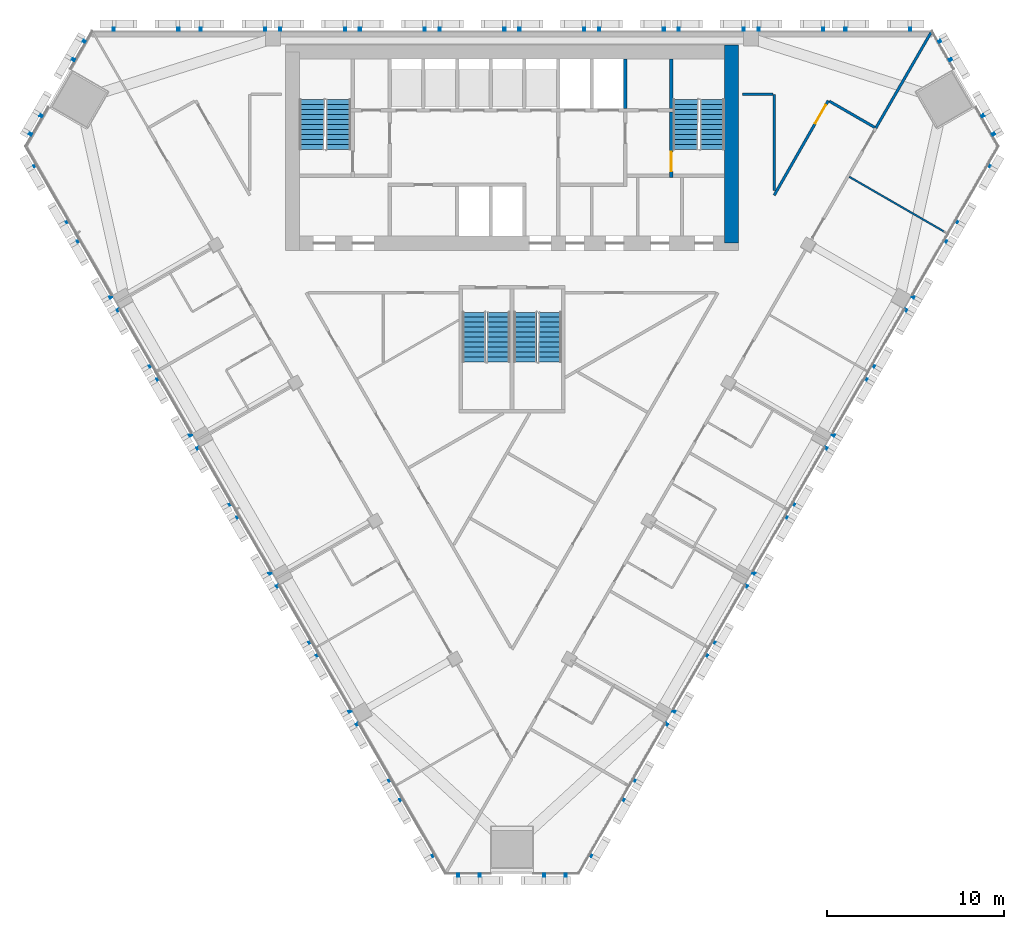
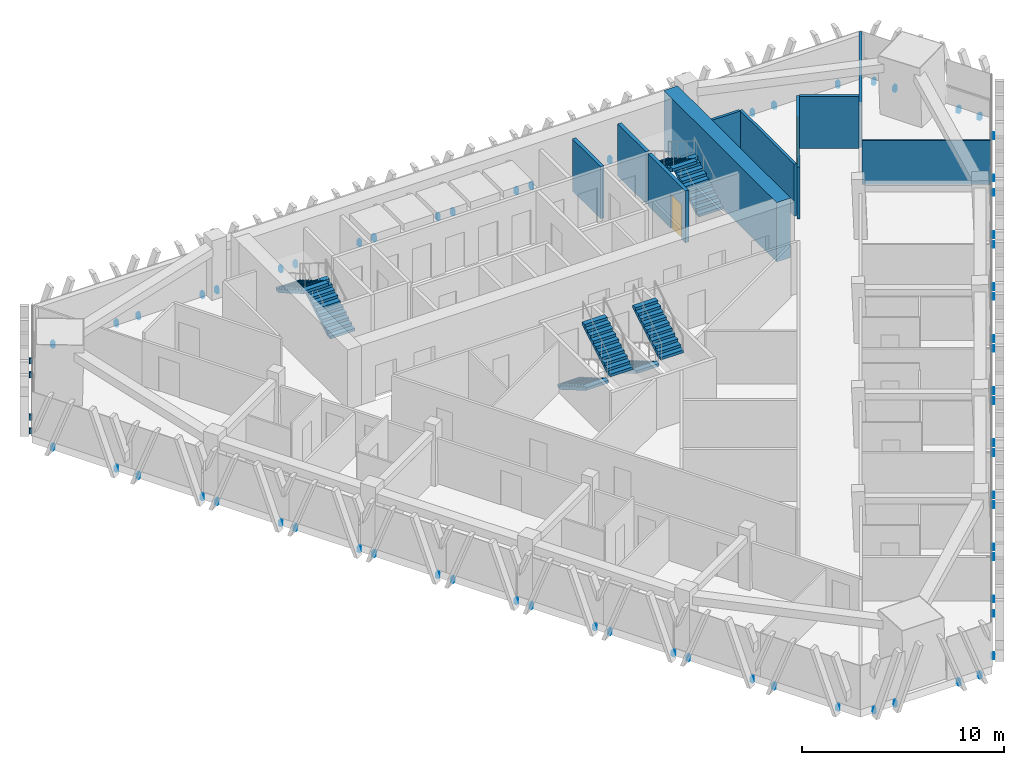
# One storey, part 12 of 15: 10 walls, 8 stair flights, 6 discrete accessories, 2 doors, 2 openings, 4 elements without a shape of their own.
"""IFC4 building model written with IfcOpenShell, lengths in metres."""

from ifc_helpers import new_model, si_unit, direction, frame, frame_2d, origin, place, context, subcontext, project, spatial, polyline, rectangle, outline, extrude, source, transform, mapped, material, layer, layer_set, type_object, element, fill, aggregate, save


model = new_model("IFC4")

# Units and contexts
model_context = context("Model", 3, precision=1e-05, world=origin(), true_north=direction((0.0, 1.0)))
body_context = subcontext(model_context, "Body", "Model", "MODEL_VIEW")
ifc_project = project(units=[si_unit("LENGTHUNIT", "METRE"), si_unit("AREAUNIT", "SQUARE_METRE"), si_unit("VOLUMEUNIT", "CUBIC_METRE"), si_unit("PLANEANGLEUNIT", "RADIAN"), si_unit("MASSUNIT", "GRAM", prefix="KILO")], contexts=[model_context])

# Site, building, storey
site_placement = place(None, origin())
site = spatial("IfcSite", under=ifc_project, at=site_placement, CompositionType="ELEMENT")
building_placement = place(site_placement, origin())
building = spatial("IfcBuilding", under=site, at=building_placement, Name="Altiplano Prism Tower", CompositionType="ELEMENT")
storey_placement = place(building_placement, frame((0.0, 0.0, 142.199951171875)))
storey = spatial("IfcBuildingStorey", under=building, at=storey_placement, Name="L36", CompositionType="ELEMENT", Elevation=142.199951171875)

# Walls
ifc_material_1 = material(Name="Concrete C60/75", Category="concrete")
ifc_layer_1 = layer(ifc_material_1, 0.800048828125)
ifc_layer_set_1 = layer_set([ifc_layer_1], Name="Concrete C60/75")
wall_type_1 = type_object("IfcWallType", Name="Core wall 800", PredefinedType="SHEAR", material=ifc_layer_set_1)
wall_1_placement = place(storey_placement, frame((97.39990234375, 93.0, 0.0), z_axis=(0.0, 0.0, 1.0), x_axis=(0.0, 1.0, 0.0)))
element("IfcWall", 1, at=wall_1_placement, inside=storey, type_object=wall_type_1, Name="Core wall E L36", PredefinedType="SHEAR", context=body_context, shape_type="SweptSolid", body=[
    extrude(rectangle(XDim=11.199951171875, YDim=0.800048828125, at=frame_2d((5.60009765625, 0.0))), origin(), (0.0, 0.0, 1.0), 3.60009765625),
])
ifc_material_2 = material(Name="Plasterboard on steel stud", Category="steel")
ifc_layer_2 = layer(ifc_material_2, 0.10009765625)
ifc_layer_set_2 = layer_set([ifc_layer_2], Name="Plasterboard on steel stud")
wall_type_2 = type_object("IfcWallType", Name="Partition 100 wet", PredefinedType="PARTITIONING", material=ifc_layer_set_2)
wall_2_placement = place(storey_placement, frame((109.557861328125, 93.561767578125, 0.0), z_axis=(0.0, 0.0, 1.0), x_axis=(-0.866015181674, 0.500017704797, 0.0)))
element("IfcWall", 2, at=wall_2_placement, inside=storey, type_object=wall_type_2, Name="Partition P03 L36 051", PredefinedType="PARTITIONING", context=body_context, shape_type="SweptSolid", body=[
    extrude(rectangle(XDim=6.370361328125, YDim=0.10009765625, at=frame_2d((3.18505859375, 0.0))), origin(), (0.0, 0.0, 1.0), 2.650146484375),
])
ifc_layer_3 = layer(ifc_material_2, 0.14990234375)
ifc_layer_set_3 = layer_set([ifc_layer_3], Name="Plasterboard on steel stud")
wall_type_3 = type_object("IfcWallType", Name="Partition 150 corridor", PredefinedType="PARTITIONING", material=ifc_layer_set_3)
wall_3_placement = place(storey_placement, frame((105.476806640625, 99.538330078125, 0.0), z_axis=(0.0, 0.0, 1.0), x_axis=(-0.866101542152, 0.499868101284, 0.0)))
element("IfcWall", 3, at=wall_3_placement, inside=storey, type_object=wall_type_3, Name="Partition P06 L36 006", PredefinedType="PARTITIONING", context=body_context, shape_type="SweptSolid", body=[
    extrude(rectangle(XDim=2.950439453125, YDim=0.14990234375, at=frame_2d((1.47509765625, 0.0))), origin(), (0.0, 0.0, 1.0), 3.150146484375),
])

# Wall, opening, door
wall_4_placement = place(storey_placement, frame((102.856201171875, 101.05078125, 0.0), z_axis=(0.0, 0.0, 1.0), x_axis=(-0.496198719424, -0.868208978784, 0.0)))
wall_4 = element("IfcWall", 4, at=wall_4_placement, inside=storey, type_object=wall_type_3, Name="Partition P06 L36 007", PredefinedType="PARTITIONING", context=body_context, shape_type="SweptSolid", body=[
    extrude(rectangle(XDim=6.1572265625, YDim=0.14990234375, at=frame_2d((3.07861328125, 0.0))), origin(), (0.0, 0.0, 1.0), 3.150146484375),
])
opening_1_placement = place(wall_4_placement, frame((0.294921875, 0.0, 0.0)))
opening_1 = element("IfcOpeningElement", 5, at=opening_1_placement, cuts=wall_4, Name="Opening D1323", PredefinedType="OPENING", context=body_context, shape_type="SweptSolid", body=[
    extrude(rectangle(XDim=1.199951171875, YDim=2.10009765625, at=frame_2d((0.60009765625, 1.050048828125))), frame((0.0, 0.08544921875, 0.0), z_axis=(0.0, -1.0, 0.0), x_axis=(1.0, 0.0, 0.0)), (0.0, 0.0, 1.0), 0.1708984375),
])
ifc_material_3 = material(Name="Timber", Category="wood")
door_type_1 = type_object("IfcDoorType", Name="Shared room door 1200 x 2100", OperationType="NOTDEFINED", PredefinedType="NOTDEFINED", material=ifc_material_3)
door_1_placement = place(opening_1_placement, origin())
door_1 = element("IfcDoor", 6, at=door_1_placement, inside=storey, type_object=door_type_1, Name="Door D1323", OperationType="SINGLE_SWING_RIGHT", OverallHeight=2.10009765625, OverallWidth=1.199951171875, PredefinedType="NOTDEFINED", context=body_context, shape_type="SweptSolid", body=[
    extrude(rectangle(XDim=1.199951171875, YDim=2.10009765625, at=frame_2d((0.60009765625, 1.050048828125))), frame((0.0, 0.02490234375, 0.0), z_axis=(0.0, -1.0, 0.0), x_axis=(1.0, 0.0, 0.0)), (0.0, 0.0, 1.0), 0.050048828125),
])
fill(opening_1, door_1)

# Walls
wall_5_placement = place(storey_placement, frame((99.801025390625, 95.9873046875, 0.0), z_axis=(0.0, 0.0, 1.0), x_axis=(0.0, 1.0, 0.0)))
element("IfcWall", 7, at=wall_5_placement, inside=storey, type_object=wall_type_3, Name="Partition P06 L36 008", PredefinedType="PARTITIONING", context=body_context, shape_type="SweptSolid", body=[
    extrude(rectangle(XDim=5.4130859375, YDim=0.14990234375, at=frame_2d((2.70654296875, 0.0))), origin(), (0.0, 0.0, 1.0), 3.150146484375),
])
wall_6_placement = place(storey_placement, frame((99.72607421875, 101.400390625, 0.0), z_axis=(0.0, 0.0, 1.0), x_axis=(-0.999999959988, 0.00028288542, 0.0)))
element("IfcWall", 8, at=wall_6_placement, inside=storey, type_object=wall_type_3, Name="Partition P06 L36 009", PredefinedType="PARTITIONING", context=body_context, shape_type="SweptSolid", body=[
    extrude(rectangle(XDim=1.72607421875, YDim=0.14990234375, at=frame_2d((0.863037109375, 0.0))), origin(), (0.0, 0.0, 1.0), 3.150146484375),
])
ifc_layer_4 = layer(ifc_material_2, 0.14990234375)
ifc_layer_set_4 = layer_set([ifc_layer_4], Name="Plasterboard on steel stud")
wall_type_4 = type_object("IfcWallType", Name="Partition 150 party", PredefinedType="PARTITIONING", material=ifc_layer_set_4)
wall_7_placement = place(storey_placement, frame((108.658935546875, 104.89990234375, 0.0), z_axis=(0.0, 0.0, 1.0), x_axis=(-0.500013984911, -0.866017329442, 0.0)))
element("IfcWall", 9, at=wall_7_placement, inside=storey, type_object=wall_type_4, Name="Partition P01 L36 052", PredefinedType="PARTITIONING", context=body_context, shape_type="SweptSolid", body=[
    extrude(rectangle(XDim=6.234130859375, YDim=0.14990234375, at=frame_2d((3.1171875, 0.0))), origin(), (0.0, 0.0, 1.0), 2.650146484375),
])
ifc_layer_5 = layer(ifc_material_1, 0.199951171875)
ifc_layer_set_5 = layer_set([ifc_layer_5], Name="Concrete C60/75")
wall_type_5 = type_object("IfcWallType", Name="Shaft wall 200", PredefinedType="SOLIDWALL", material=ifc_layer_set_5)
wall_8_placement = place(storey_placement, frame((91.39990234375, 100.60009765625, 0.0), z_axis=(0.0, 0.0, 1.0), x_axis=(0.0, 1.0, 0.0)))
element("IfcWall", 10, at=wall_8_placement, inside=storey, type_object=wall_type_5, Name="Shaft wall L36", PredefinedType="SOLIDWALL", context=body_context, shape_type="SweptSolid", body=[
    extrude(rectangle(XDim=2.7998046875, YDim=0.199951171875, at=frame_2d((1.39990234375, 0.0))), origin(), (0.0, 0.0, 1.0), 3.150146484375),
])

# Wall, opening, door
ifc_layer_6 = layer(ifc_material_1, 0.199951171875)
ifc_layer_set_6 = layer_set([ifc_layer_6], Name="Concrete C60/75")
wall_type_6 = type_object("IfcWallType", Name="Stair wall 200", PredefinedType="SOLIDWALL", material=ifc_layer_set_6)
wall_9_placement = place(storey_placement, frame((94.0, 96.699951171875, 0.0), z_axis=(0.0, 0.0, 1.0), x_axis=(0.0, 1.0, 0.0)))
wall_9 = element("IfcWall", 11, at=wall_9_placement, inside=storey, type_object=wall_type_6, Name="Stair wall L36", PredefinedType="SOLIDWALL", context=body_context, shape_type="SweptSolid", body=[
    extrude(rectangle(XDim=3.699951171875, YDim=0.199951171875, at=frame_2d((1.85009765625, 0.0))), origin(), (0.0, 0.0, 1.0), 3.150146484375),
])
opening_2_placement = place(wall_9_placement, frame((0.35009765625, 0.0, 0.0)))
opening_2 = element("IfcOpeningElement", 12, at=opening_2_placement, cuts=wall_9, Name="Opening D3068", PredefinedType="OPENING", context=body_context, shape_type="SweptSolid", body=[
    extrude(rectangle(XDim=1.10009765625, YDim=2.10009765625, at=frame_2d((0.550048828125, 1.050048828125))), frame((0.0, 0.1103515625, 0.0), z_axis=(0.0, -1.0, 0.0), x_axis=(1.0, 0.0, 0.0)), (0.0, 0.0, 1.0), 0.220947265625),
])
ifc_material_4 = material(Name="Fire-rated steel door", Category="steel")
door_type_2 = type_object("IfcDoorType", Name="Stair fire door 1100 x 2100", OperationType="NOTDEFINED", PredefinedType="NOTDEFINED", material=ifc_material_4)
door_2_placement = place(opening_2_placement, origin())
door_2 = element("IfcDoor", 13, at=door_2_placement, inside=storey, type_object=door_type_2, Name="Stair fire door D3068", OperationType="SINGLE_SWING_LEFT", OverallHeight=2.10009765625, OverallWidth=1.10009765625, PredefinedType="NOTDEFINED", context=body_context, shape_type="SweptSolid", body=[
    extrude(rectangle(XDim=1.10009765625, YDim=2.10009765625, at=frame_2d((0.550048828125, 1.050048828125))), frame((0.0, 0.02490234375, 0.0), z_axis=(0.0, -1.0, 0.0), x_axis=(1.0, 0.0, 0.0)), (0.0, 0.0, 1.0), 0.050048828125),
])
fill(opening_2, door_2)

# Wall
wall_10_placement = place(storey_placement, frame((94.0, 100.60009765625, 0.0), z_axis=(0.0, 0.0, 1.0), x_axis=(0.0, 1.0, 0.0)))
element("IfcWall", 14, at=wall_10_placement, inside=storey, type_object=wall_type_6, Name="Stair wall L36", PredefinedType="SOLIDWALL", context=body_context, shape_type="SweptSolid", body=[
    extrude(rectangle(XDim=2.7998046875, YDim=0.199951171875, at=frame_2d((1.39990234375, 0.0))), origin(), (0.0, 0.0, 1.0), 3.150146484375),
])

# Stair, stair flights
ifc_material_5 = material(Name="Concrete C40/50", Category="concrete")
stair_type_1 = type_object("IfcStairType", Name="Exit stair 1400", PredefinedType="HALF_TURN_STAIR", material=ifc_material_5)
stair_1_placement = place(storey_placement, origin())
stair_1 = element("IfcStair", 15, at=stair_1_placement, inside=storey, type_object=stair_type_1, Name="L36 Exit Stair 1", PredefinedType="HALF_TURN_STAIR")
stair_flight_type = type_object("IfcStairFlightType", Name="Stair flight concrete 150", PredefinedType="STRAIGHT", material=ifc_material_5)
stair_flight_1_placement = place(storey_placement, frame((75.199951171875, 98.300048828125, 0.0), z_axis=(0.0, 0.0, 1.0), x_axis=(0.0, 1.0, 0.0)))
stair_flight_1 = element("IfcStairFlight", 16, at=stair_flight_1_placement, type_object=stair_flight_type, Name="ST1 flight 1", NumberOfRisers=11, NumberOfTreads=10, PredefinedType="STRAIGHT", RiserHeight=0.163636364, TreadLength=0.28, context=body_context, shape_type="SweptSolid", body=[
    extrude(outline(polyline([(0.0, 0.0), (0.0, 0.16357421875), (0.280029296875, 0.16357421875), (0.280029296875, 0.327392578125), (0.56005859375, 0.327392578125), (0.56005859375, 0.490966796875), (0.840087890625, 0.490966796875), (0.840087890625, 0.654541015625), (1.1201171875, 0.654541015625), (1.1201171875, 0.818115234375), (1.39990234375, 0.818115234375), (1.39990234375, 0.98193359375), (1.679931640625, 0.98193359375), (1.679931640625, 1.1455078125), (1.9599609375, 1.1455078125), (1.9599609375, 1.30908203125), (2.239990234375, 1.30908203125), (2.239990234375, 1.47265625), (2.52001953125, 1.47265625), (2.52001953125, 1.636474609375), (2.800048828125, 1.636474609375), (2.800048828125, 1.800048828125), (2.800048828125, 1.462646484375), (0.297119140625, 0.0), (0.0, 0.0)])), frame((0.0, 0.699951171875, 0.0), z_axis=(0.0, -1.0, 0.0), x_axis=(1.0, 0.0, 0.0)), (0.0, 0.0, 1.0), 1.39990234375),
])
stair_flight_2_placement = place(storey_placement, frame((73.699951171875, 101.10009765625, 1.800048828125), z_axis=(0.0, 0.0, 1.0), x_axis=(0.0, -1.0, 0.0)))
stair_flight_2 = element("IfcStairFlight", 17, at=stair_flight_2_placement, type_object=stair_flight_type, Name="ST1 flight 2", NumberOfRisers=11, NumberOfTreads=10, PredefinedType="STRAIGHT", RiserHeight=0.163636364, TreadLength=0.28, context=body_context, shape_type="SweptSolid", body=[
    extrude(outline(polyline([(0.0, 0.0), (0.0, 0.16357421875), (0.280029296875, 0.16357421875), (0.280029296875, 0.327392578125), (0.56005859375, 0.327392578125), (0.56005859375, 0.490966796875), (0.840087890625, 0.490966796875), (0.840087890625, 0.654541015625), (1.1201171875, 0.654541015625), (1.1201171875, 0.818115234375), (1.39990234375, 0.818115234375), (1.39990234375, 0.98193359375), (1.679931640625, 0.98193359375), (1.679931640625, 1.1455078125), (1.9599609375, 1.1455078125), (1.9599609375, 1.30908203125), (2.239990234375, 1.30908203125), (2.239990234375, 1.47265625), (2.52001953125, 1.47265625), (2.52001953125, 1.636474609375), (2.800048828125, 1.636474609375), (2.800048828125, 1.800048828125), (2.800048828125, 1.462646484375), (0.297119140625, 0.0), (0.0, 0.0)])), frame((0.0, 0.699951171875, 0.0), z_axis=(0.0, -1.0, 0.0), x_axis=(1.0, 0.0, 0.0)), (0.0, 0.0, 1.0), 1.39990234375),
])
aggregate(stair_1, [stair_flight_1, stair_flight_2])

stair_2_placement = place(storey_placement, origin())
stair_2 = element("IfcStair", 18, at=stair_2_placement, inside=storey, type_object=stair_type_1, Name="L36 Exit Stair 2", PredefinedType="HALF_TURN_STAIR")
stair_flight_3_placement = place(storey_placement, frame((96.300048828125, 98.300048828125, 0.0), z_axis=(0.0, 0.0, 1.0), x_axis=(0.0, 1.0, 0.0)))
stair_flight_3 = element("IfcStairFlight", 19, at=stair_flight_3_placement, type_object=stair_flight_type, Name="ST2 flight 1", NumberOfRisers=11, NumberOfTreads=10, PredefinedType="STRAIGHT", RiserHeight=0.163636364, TreadLength=0.28, context=body_context, shape_type="SweptSolid", body=[
    extrude(outline(polyline([(0.0, 0.0), (0.0, 0.16357421875), (0.280029296875, 0.16357421875), (0.280029296875, 0.327392578125), (0.56005859375, 0.327392578125), (0.56005859375, 0.490966796875), (0.840087890625, 0.490966796875), (0.840087890625, 0.654541015625), (1.1201171875, 0.654541015625), (1.1201171875, 0.818115234375), (1.39990234375, 0.818115234375), (1.39990234375, 0.98193359375), (1.679931640625, 0.98193359375), (1.679931640625, 1.1455078125), (1.9599609375, 1.1455078125), (1.9599609375, 1.30908203125), (2.239990234375, 1.30908203125), (2.239990234375, 1.47265625), (2.52001953125, 1.47265625), (2.52001953125, 1.636474609375), (2.800048828125, 1.636474609375), (2.800048828125, 1.800048828125), (2.800048828125, 1.462646484375), (0.297119140625, 0.0), (0.0, 0.0)])), frame((0.0, 0.699951171875, 0.0), z_axis=(0.0, -1.0, 0.0), x_axis=(1.0, 0.0, 0.0)), (0.0, 0.0, 1.0), 1.39990234375),
])
stair_flight_4_placement = place(storey_placement, frame((94.800048828125, 101.10009765625, 1.800048828125), z_axis=(0.0, 0.0, 1.0), x_axis=(0.0, -1.0, 0.0)))
stair_flight_4 = element("IfcStairFlight", 20, at=stair_flight_4_placement, type_object=stair_flight_type, Name="ST2 flight 2", NumberOfRisers=11, NumberOfTreads=10, PredefinedType="STRAIGHT", RiserHeight=0.163636364, TreadLength=0.28, context=body_context, shape_type="SweptSolid", body=[
    extrude(outline(polyline([(0.0, 0.0), (0.0, 0.16357421875), (0.280029296875, 0.16357421875), (0.280029296875, 0.327392578125), (0.56005859375, 0.327392578125), (0.56005859375, 0.490966796875), (0.840087890625, 0.490966796875), (0.840087890625, 0.654541015625), (1.1201171875, 0.654541015625), (1.1201171875, 0.818115234375), (1.39990234375, 0.818115234375), (1.39990234375, 0.98193359375), (1.679931640625, 0.98193359375), (1.679931640625, 1.1455078125), (1.9599609375, 1.1455078125), (1.9599609375, 1.30908203125), (2.239990234375, 1.30908203125), (2.239990234375, 1.47265625), (2.52001953125, 1.47265625), (2.52001953125, 1.636474609375), (2.800048828125, 1.636474609375), (2.800048828125, 1.800048828125), (2.800048828125, 1.462646484375), (0.297119140625, 0.0), (0.0, 0.0)])), frame((0.0, 0.699951171875, 0.0), z_axis=(0.0, -1.0, 0.0), x_axis=(1.0, 0.0, 0.0)), (0.0, 0.0, 1.0), 1.39990234375),
])
aggregate(stair_2, [stair_flight_3, stair_flight_4])

stair_type_2 = type_object("IfcStairType", Name="Exit stair 1300", PredefinedType="HALF_TURN_STAIR", material=ifc_material_5)
stair_3_placement = place(storey_placement, origin())
stair_3 = element("IfcStair", 21, at=stair_3_placement, inside=storey, type_object=stair_type_2, Name="L36 Exit Stair 3A", PredefinedType="HALF_TURN_STAIR")
stair_flight_5_placement = place(storey_placement, frame((82.85009765625, 89.10009765625, 0.0), z_axis=(0.0, 0.0, 1.0), x_axis=(0.0, -1.0, 0.0)))
stair_flight_5 = element("IfcStairFlight", 22, at=stair_flight_5_placement, type_object=stair_flight_type, Name="ST3A flight 1", NumberOfRisers=11, NumberOfTreads=10, PredefinedType="STRAIGHT", RiserHeight=0.163636364, TreadLength=0.28, context=body_context, shape_type="SweptSolid", body=[
    extrude(outline(polyline([(0.0, 0.0), (0.0, 0.16357421875), (0.280029296875, 0.16357421875), (0.280029296875, 0.327392578125), (0.56005859375, 0.327392578125), (0.56005859375, 0.490966796875), (0.840087890625, 0.490966796875), (0.840087890625, 0.654541015625), (1.1201171875, 0.654541015625), (1.1201171875, 0.818115234375), (1.39990234375, 0.818115234375), (1.39990234375, 0.98193359375), (1.679931640625, 0.98193359375), (1.679931640625, 1.1455078125), (1.9599609375, 1.1455078125), (1.9599609375, 1.30908203125), (2.239990234375, 1.30908203125), (2.239990234375, 1.47265625), (2.52001953125, 1.47265625), (2.52001953125, 1.636474609375), (2.800048828125, 1.636474609375), (2.800048828125, 1.800048828125), (2.800048828125, 1.462646484375), (0.297119140625, 0.0), (0.0, 0.0)])), frame((0.0, 0.64990234375, 0.0), z_axis=(0.0, -1.0, 0.0), x_axis=(1.0, 0.0, 0.0)), (0.0, 0.0, 1.0), 1.300048828125),
])
stair_flight_6_placement = place(storey_placement, frame((84.25, 86.300048828125, 1.800048828125), z_axis=(0.0, 0.0, 1.0), x_axis=(0.0, 1.0, 0.0)))
stair_flight_6 = element("IfcStairFlight", 23, at=stair_flight_6_placement, type_object=stair_flight_type, Name="ST3A flight 2", NumberOfRisers=11, NumberOfTreads=10, PredefinedType="STRAIGHT", RiserHeight=0.163636364, TreadLength=0.28, context=body_context, shape_type="SweptSolid", body=[
    extrude(outline(polyline([(0.0, 0.0), (0.0, 0.16357421875), (0.280029296875, 0.16357421875), (0.280029296875, 0.327392578125), (0.56005859375, 0.327392578125), (0.56005859375, 0.490966796875), (0.840087890625, 0.490966796875), (0.840087890625, 0.654541015625), (1.1201171875, 0.654541015625), (1.1201171875, 0.818115234375), (1.39990234375, 0.818115234375), (1.39990234375, 0.98193359375), (1.679931640625, 0.98193359375), (1.679931640625, 1.1455078125), (1.9599609375, 1.1455078125), (1.9599609375, 1.30908203125), (2.239990234375, 1.30908203125), (2.239990234375, 1.47265625), (2.52001953125, 1.47265625), (2.52001953125, 1.636474609375), (2.800048828125, 1.636474609375), (2.800048828125, 1.800048828125), (2.800048828125, 1.462646484375), (0.297119140625, 0.0), (0.0, 0.0)])), frame((0.0, 0.64990234375, 0.0), z_axis=(0.0, -1.0, 0.0), x_axis=(1.0, 0.0, 0.0)), (0.0, 0.0, 1.0), 1.300048828125),
])
aggregate(stair_3, [stair_flight_5, stair_flight_6])

stair_4_placement = place(storey_placement, origin())
stair_4 = element("IfcStair", 24, at=stair_4_placement, inside=storey, type_object=stair_type_2, Name="L36 Exit Stair 3B", PredefinedType="HALF_TURN_STAIR")
stair_flight_7_placement = place(storey_placement, frame((85.75, 89.10009765625, 0.0), z_axis=(0.0, 0.0, 1.0), x_axis=(0.0, -1.0, 0.0)))
stair_flight_7 = element("IfcStairFlight", 25, at=stair_flight_7_placement, type_object=stair_flight_type, Name="ST3B flight 1", NumberOfRisers=11, NumberOfTreads=10, PredefinedType="STRAIGHT", RiserHeight=0.163636364, TreadLength=0.28, context=body_context, shape_type="SweptSolid", body=[
    extrude(outline(polyline([(0.0, 0.0), (0.0, 0.16357421875), (0.280029296875, 0.16357421875), (0.280029296875, 0.327392578125), (0.56005859375, 0.327392578125), (0.56005859375, 0.490966796875), (0.840087890625, 0.490966796875), (0.840087890625, 0.654541015625), (1.1201171875, 0.654541015625), (1.1201171875, 0.818115234375), (1.39990234375, 0.818115234375), (1.39990234375, 0.98193359375), (1.679931640625, 0.98193359375), (1.679931640625, 1.1455078125), (1.9599609375, 1.1455078125), (1.9599609375, 1.30908203125), (2.239990234375, 1.30908203125), (2.239990234375, 1.47265625), (2.52001953125, 1.47265625), (2.52001953125, 1.636474609375), (2.800048828125, 1.636474609375), (2.800048828125, 1.800048828125), (2.800048828125, 1.462646484375), (0.297119140625, 0.0), (0.0, 0.0)])), frame((0.0, 0.64990234375, 0.0), z_axis=(0.0, -1.0, 0.0), x_axis=(1.0, 0.0, 0.0)), (0.0, 0.0, 1.0), 1.300048828125),
])
stair_flight_8_placement = place(storey_placement, frame((87.14990234375, 86.300048828125, 1.800048828125), z_axis=(0.0, 0.0, 1.0), x_axis=(0.0, 1.0, 0.0)))
stair_flight_8 = element("IfcStairFlight", 26, at=stair_flight_8_placement, type_object=stair_flight_type, Name="ST3B flight 2", NumberOfRisers=11, NumberOfTreads=10, PredefinedType="STRAIGHT", RiserHeight=0.163636364, TreadLength=0.28, context=body_context, shape_type="SweptSolid", body=[
    extrude(outline(polyline([(0.0, 0.0), (0.0, 0.16357421875), (0.280029296875, 0.16357421875), (0.280029296875, 0.327392578125), (0.56005859375, 0.327392578125), (0.56005859375, 0.490966796875), (0.840087890625, 0.490966796875), (0.840087890625, 0.654541015625), (1.1201171875, 0.654541015625), (1.1201171875, 0.818115234375), (1.39990234375, 0.818115234375), (1.39990234375, 0.98193359375), (1.679931640625, 0.98193359375), (1.679931640625, 1.1455078125), (1.9599609375, 1.1455078125), (1.9599609375, 1.30908203125), (2.239990234375, 1.30908203125), (2.239990234375, 1.47265625), (2.52001953125, 1.47265625), (2.52001953125, 1.636474609375), (2.800048828125, 1.636474609375), (2.800048828125, 1.800048828125), (2.800048828125, 1.462646484375), (0.297119140625, 0.0), (0.0, 0.0)])), frame((0.0, 0.64990234375, 0.0), z_axis=(0.0, -1.0, 0.0), x_axis=(1.0, 0.0, 0.0)), (0.0, 0.0, 1.0), 1.300048828125),
])
aggregate(stair_4, [stair_flight_7, stair_flight_8])

# Discrete accessories
ifc_material_6 = material(Name="Stainless steel", Category="steel")
discrete_accessory_type = type_object("IfcDiscreteAccessoryType", Name="Stone fin fixing prongs", PredefinedType="USERDEFINED", material=ifc_material_6)
shared_shape_1 = source(origin(), body_context, "Body", "SweptSolid", [
    extrude(outline(polyline([(-1.888427734375, 0.06005859375), (-1.768310546875, 0.06005859375), (-1.768310546875, 0.389892578125), (-1.888427734375, 0.389892578125), (-1.888427734375, 0.06005859375)])), frame((0.0, 0.0, 0.0), z_axis=(0.0, -1.0, 0.0), x_axis=(1.0, 0.0, 0.0)), (0.0, 0.0, 1.0), 0.14990234375),
    extrude(outline(polyline([(1.768310546875, 0.06005859375), (1.888427734375, 0.06005859375), (1.888427734375, 0.389892578125), (1.768310546875, 0.389892578125), (1.768310546875, 0.06005859375)])), frame((0.0, 0.0, 0.0), z_axis=(0.0, -1.0, 0.0), x_axis=(1.0, 0.0, 0.0)), (0.0, 0.0, 1.0), 0.14990234375),
])
shared_shape_2 = source(origin(), body_context, "Body", "SweptSolid", [
    extrude(outline(polyline([(-1.888427734375, 0.06005859375), (-1.768310546875, 0.06005859375), (-1.768310546875, 0.389892578125), (-1.888427734375, 0.389892578125), (-1.888427734375, 0.06005859375)])), frame((0.0, 0.0, 0.0), z_axis=(0.0, -1.0, 0.0), x_axis=(1.0, 0.0, 0.0)), (0.0, 0.0, 1.0), 0.14990234375),
    extrude(outline(polyline([(1.768310546875, 0.06005859375), (1.888427734375, 0.06005859375), (1.888427734375, 0.389892578125), (1.768310546875, 0.389892578125), (1.768310546875, 0.06005859375)])), frame((0.0, 0.0, 0.0), z_axis=(0.0, -1.0, 0.0), x_axis=(1.0, 0.0, 0.0)), (0.0, 0.0, 1.0), 0.14990234375),
])
discrete_accessory_1_placement = place(storey_placement, origin())
element("IfcDiscreteAccessory", 27, at=discrete_accessory_1_placement, inside=storey, type_object=discrete_accessory_type, Name="Fin fixings L36 north face", ObjectType="BRACKET", PredefinedType="USERDEFINED", context=body_context, shape_type="MappedRepresentation", body=[
    mapped(shared_shape_1, transform((105.658447265625, 105.0, -0.449951171875), x_axis=(-1.0, 0.0, 0.0), y_axis=(0.0, -1.0, 0.0), z_axis=(0.0, 0.0, 1.0))),
    mapped(shared_shape_2, transform((100.75, 105.0, -0.449951171875), x_axis=(-1.0, 0.0, 0.0), y_axis=(0.0, -1.0, 0.0), z_axis=(0.0, 0.0, 1.0))),
    mapped(shared_shape_2, transform((96.25, 105.0, -0.449951171875), x_axis=(-1.0, 0.0, 0.0), y_axis=(0.0, -1.0, 0.0), z_axis=(0.0, 0.0, 1.0))),
    mapped(shared_shape_2, transform((91.75, 105.0, -0.449951171875), x_axis=(-1.0, 0.0, 0.0), y_axis=(0.0, -1.0, 0.0), z_axis=(0.0, 0.0, 1.0))),
    mapped(shared_shape_2, transform((87.25, 105.0, -0.449951171875), x_axis=(-1.0, 0.0, 0.0), y_axis=(0.0, -1.0, 0.0), z_axis=(0.0, 0.0, 1.0))),
    mapped(shared_shape_2, transform((82.75, 105.0, -0.449951171875), x_axis=(-1.0, 0.0, 0.0), y_axis=(0.0, -1.0, 0.0), z_axis=(0.0, 0.0, 1.0))),
    mapped(shared_shape_2, transform((78.25, 105.0, -0.449951171875), x_axis=(-1.0, 0.0, 0.0), y_axis=(0.0, -1.0, 0.0), z_axis=(0.0, 0.0, 1.0))),
    mapped(shared_shape_2, transform((73.75, 105.0, -0.449951171875), x_axis=(-1.0, 0.0, 0.0), y_axis=(0.0, -1.0, 0.0), z_axis=(0.0, 0.0, 1.0))),
    mapped(shared_shape_2, transform((69.25, 105.0, -0.449951171875), x_axis=(-1.0, 0.0, 0.0), y_axis=(0.0, -1.0, 0.0), z_axis=(0.0, 0.0, 1.0))),
    mapped(shared_shape_1, transform((64.341552734375, 105.0, -0.449951171875), x_axis=(-1.0, 0.0, 0.0), y_axis=(0.0, -1.0, 0.0), z_axis=(0.0, 0.0, 1.0))),
])
discrete_accessory_2_placement = place(storey_placement, origin())
element("IfcDiscreteAccessory", 28, at=discrete_accessory_2_placement, inside=storey, type_object=discrete_accessory_type, Name="Fin fixings L36 south-west face", ObjectType="BRACKET", PredefinedType="USERDEFINED", context=body_context, shape_type="MappedRepresentation", body=[
    mapped(shared_shape_1, transform((59.0439453125, 95.82421875, -0.449951171875), x_axis=(0.50000000109, -0.866025403155, 0.0), y_axis=(0.866025403155, 0.50000000109, 0.0), z_axis=(0.0, 0.0, 1.0))),
    mapped(shared_shape_2, transform((61.498046875, 91.573486328125, -0.449951171875), x_axis=(0.50000000109, -0.866025403155, 0.0), y_axis=(0.866025403155, 0.50000000109, 0.0), z_axis=(0.0, 0.0, 1.0))),
    mapped(shared_shape_2, transform((63.748046875, 87.67626953125, -0.449951171875), x_axis=(0.50000000109, -0.866025403155, 0.0), y_axis=(0.866025403155, 0.50000000109, 0.0), z_axis=(0.0, 0.0, 1.0))),
    mapped(shared_shape_2, transform((65.998046875, 83.779052734375, -0.449951171875), x_axis=(0.50000000109, -0.866025403155, 0.0), y_axis=(0.866025403155, 0.50000000109, 0.0), z_axis=(0.0, 0.0, 1.0))),
    mapped(shared_shape_2, transform((68.248046875, 79.882080078125, -0.449951171875), x_axis=(0.50000000109, -0.866025403155, 0.0), y_axis=(0.866025403155, 0.50000000109, 0.0), z_axis=(0.0, 0.0, 1.0))),
    mapped(shared_shape_2, transform((70.498046875, 75.98486328125, -0.449951171875), x_axis=(0.50000000109, -0.866025403155, 0.0), y_axis=(0.866025403155, 0.50000000109, 0.0), z_axis=(0.0, 0.0, 1.0))),
    mapped(shared_shape_2, transform((72.748046875, 72.087890625, -0.449951171875), x_axis=(0.50000000109, -0.866025403155, 0.0), y_axis=(0.866025403155, 0.50000000109, 0.0), z_axis=(0.0, 0.0, 1.0))),
    mapped(shared_shape_2, transform((74.998046875, 68.190673828125, -0.449951171875), x_axis=(0.50000000109, -0.866025403155, 0.0), y_axis=(0.866025403155, 0.50000000109, 0.0), z_axis=(0.0, 0.0, 1.0))),
    mapped(shared_shape_2, transform((77.248046875, 64.29345703125, -0.449951171875), x_axis=(0.50000000109, -0.866025403155, 0.0), y_axis=(0.866025403155, 0.50000000109, 0.0), z_axis=(0.0, 0.0, 1.0))),
    mapped(shared_shape_1, transform((79.702392578125, 60.042724609375, -0.449951171875), x_axis=(0.50000000109, -0.866025403155, 0.0), y_axis=(0.866025403155, 0.50000000109, 0.0), z_axis=(0.0, 0.0, 1.0))),
])
discrete_accessory_3_placement = place(storey_placement, origin())
element("IfcDiscreteAccessory", 29, at=discrete_accessory_3_placement, inside=storey, type_object=discrete_accessory_type, Name="Fin fixings L36 south-east face", ObjectType="BRACKET", PredefinedType="USERDEFINED", context=body_context, shape_type="MappedRepresentation", body=[
    mapped(shared_shape_1, transform((90.297607421875, 60.042724609375, -0.449951171875), x_axis=(0.50000000109, 0.866025403155, 0.0), y_axis=(-0.866025403155, 0.50000000109, 0.0), z_axis=(0.0, 0.0, 1.0))),
    mapped(shared_shape_2, transform((92.751953125, 64.29345703125, -0.449951171875), x_axis=(0.50000000109, 0.866025403155, 0.0), y_axis=(-0.866025403155, 0.50000000109, 0.0), z_axis=(0.0, 0.0, 1.0))),
    mapped(shared_shape_2, transform((95.001953125, 68.190673828125, -0.449951171875), x_axis=(0.50000000109, 0.866025403155, 0.0), y_axis=(-0.866025403155, 0.50000000109, 0.0), z_axis=(0.0, 0.0, 1.0))),
    mapped(shared_shape_2, transform((97.251953125, 72.087890625, -0.449951171875), x_axis=(0.50000000109, 0.866025403155, 0.0), y_axis=(-0.866025403155, 0.50000000109, 0.0), z_axis=(0.0, 0.0, 1.0))),
    mapped(shared_shape_2, transform((99.501953125, 75.98486328125, -0.449951171875), x_axis=(0.50000000109, 0.866025403155, 0.0), y_axis=(-0.866025403155, 0.50000000109, 0.0), z_axis=(0.0, 0.0, 1.0))),
    mapped(shared_shape_2, transform((101.751953125, 79.882080078125, -0.449951171875), x_axis=(0.50000000109, 0.866025403155, 0.0), y_axis=(-0.866025403155, 0.50000000109, 0.0), z_axis=(0.0, 0.0, 1.0))),
    mapped(shared_shape_2, transform((104.001953125, 83.779052734375, -0.449951171875), x_axis=(0.50000000109, 0.866025403155, 0.0), y_axis=(-0.866025403155, 0.50000000109, 0.0), z_axis=(0.0, 0.0, 1.0))),
    mapped(shared_shape_2, transform((106.251953125, 87.67626953125, -0.449951171875), x_axis=(0.50000000109, 0.866025403155, 0.0), y_axis=(-0.866025403155, 0.50000000109, 0.0), z_axis=(0.0, 0.0, 1.0))),
    mapped(shared_shape_2, transform((108.501953125, 91.573486328125, -0.449951171875), x_axis=(0.50000000109, 0.866025403155, 0.0), y_axis=(-0.866025403155, 0.50000000109, 0.0), z_axis=(0.0, 0.0, 1.0))),
    mapped(shared_shape_1, transform((110.9560546875, 95.82421875, -0.449951171875), x_axis=(0.50000000109, 0.866025403155, 0.0), y_axis=(-0.866025403155, 0.50000000109, 0.0), z_axis=(0.0, 0.0, 1.0))),
])
shared_shape_3 = source(origin(), body_context, "Body", "SweptSolid", [
    extrude(outline(polyline([(-3.08837890625, 0.06005859375), (-2.968505859375, 0.06005859375), (-2.968505859375, 0.389892578125), (-3.08837890625, 0.389892578125), (-3.08837890625, 0.06005859375)])), frame((0.0, 0.0, 0.0), z_axis=(0.0, -1.0, 0.0), x_axis=(1.0, 0.0, 0.0)), (0.0, 0.0, 1.0), 0.14990234375),
    extrude(outline(polyline([(-1.888427734375, 0.06005859375), (-1.768310546875, 0.06005859375), (-1.768310546875, 0.389892578125), (-1.888427734375, 0.389892578125), (-1.888427734375, 0.06005859375)])), frame((0.0, 0.0, 0.0), z_axis=(0.0, -1.0, 0.0), x_axis=(1.0, 0.0, 0.0)), (0.0, 0.0, 1.0), 0.14990234375),
    extrude(outline(polyline([(1.768310546875, 0.06005859375), (1.888427734375, 0.06005859375), (1.888427734375, 0.389892578125), (1.768310546875, 0.389892578125), (1.768310546875, 0.06005859375)])), frame((0.0, 0.0, 0.0), z_axis=(0.0, -1.0, 0.0), x_axis=(1.0, 0.0, 0.0)), (0.0, 0.0, 1.0), 0.14990234375),
    extrude(outline(polyline([(2.968505859375, 0.06005859375), (3.08837890625, 0.06005859375), (3.08837890625, 0.389892578125), (2.968505859375, 0.389892578125), (2.968505859375, 0.06005859375)])), frame((0.0, 0.0, 0.0), z_axis=(0.0, -1.0, 0.0), x_axis=(1.0, 0.0, 0.0)), (0.0, 0.0, 1.0), 0.14990234375),
])
discrete_accessory_4_placement = place(storey_placement, origin())
element("IfcDiscreteAccessory", 30, at=discrete_accessory_4_placement, inside=storey, type_object=discrete_accessory_type, Name="Fin fixings L36 north-west chamfer", ObjectType="BRACKET", PredefinedType="USERDEFINED", context=body_context, shape_type="MappedRepresentation", body=[
    mapped(shared_shape_3, transform((59.39892578125, 101.736328125, -0.449951171875), x_axis=(-0.500000004956, -0.866025400923, 0.0), y_axis=(0.866025400923, -0.500000004956, 0.0), z_axis=(0.0, 0.0, 1.0))),
])
discrete_accessory_5_placement = place(storey_placement, origin())
element("IfcDiscreteAccessory", 31, at=discrete_accessory_5_placement, inside=storey, type_object=discrete_accessory_type, Name="Fin fixings L36 south chamfer", ObjectType="BRACKET", PredefinedType="USERDEFINED", context=body_context, shape_type="MappedRepresentation", body=[
    mapped(shared_shape_3, transform((85.0, 57.39404296875, -0.449951171875), x_axis=(1.0, 0.0, 0.0), y_axis=(0.0, 1.0, 0.0), z_axis=(0.0, 0.0, 1.0))),
])
discrete_accessory_6_placement = place(storey_placement, origin())
element("IfcDiscreteAccessory", 32, at=discrete_accessory_6_placement, inside=storey, type_object=discrete_accessory_type, Name="Fin fixings L36 north-east chamfer", ObjectType="BRACKET", PredefinedType="USERDEFINED", context=body_context, shape_type="MappedRepresentation", body=[
    mapped(shared_shape_3, transform((110.60107421875, 101.736328125, -0.449951171875), x_axis=(-0.500000004956, 0.866025400923, 0.0), y_axis=(-0.866025400923, -0.500000004956, 0.0), z_axis=(0.0, 0.0, 1.0))),
])

save(model, "model.ifc")
